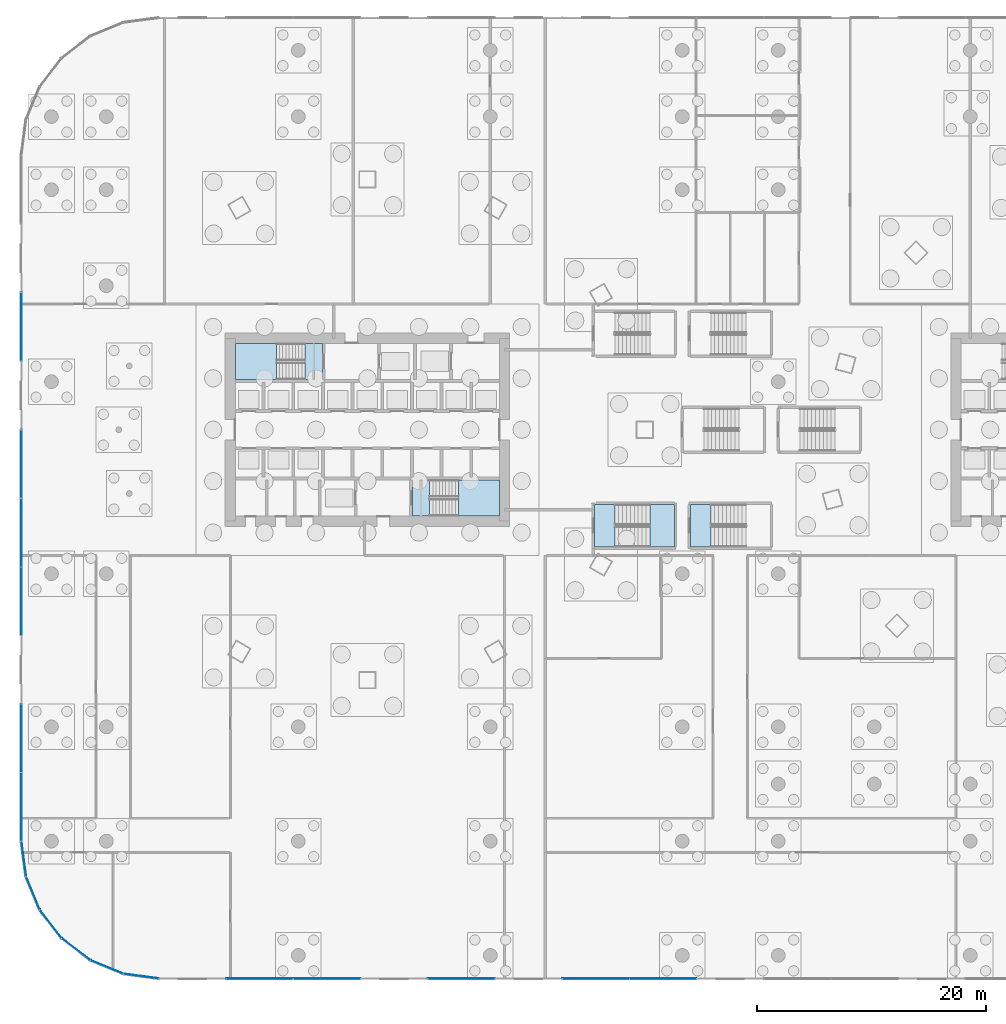
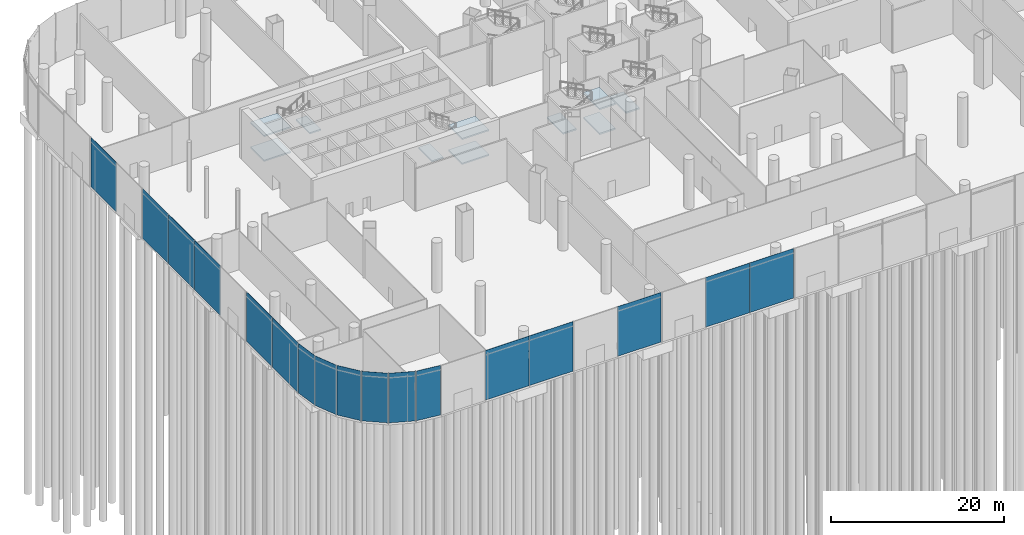
# One storey, part 21 of 41: 17 plates, 10 slabs, 5 elements without a shape of their own.
"""IFC4 building model written with IfcOpenShell, lengths in metres."""

from ifc_helpers import new_model, si_unit, direction, frame, origin, origin_2d, place, context, subcontext, project, spatial, polyline, rectangle, outline, extrude, material, layer, layer_set, type_object, element, aggregate, save


model = new_model("IFC4")

# Units and contexts
model_context = context("Model", 3, precision=1e-05, world=origin(), true_north=direction((0.0, 1.0)))
body_context = subcontext(model_context, "Body", "Model", "MODEL_VIEW")
ifc_project = project(units=[si_unit("LENGTHUNIT", "METRE"), si_unit("AREAUNIT", "SQUARE_METRE"), si_unit("VOLUMEUNIT", "CUBIC_METRE"), si_unit("PLANEANGLEUNIT", "RADIAN"), si_unit("MASSUNIT", "GRAM", prefix="KILO")], contexts=[model_context])

# Site, building, storey
site_placement = place(None, origin())
site = spatial("IfcSite", under=ifc_project, at=site_placement, CompositionType="ELEMENT")
building_placement = place(site_placement, origin())
building = spatial("IfcBuilding", under=site, at=building_placement, Name="Rimbun Link Towers", CompositionType="ELEMENT")
storey_placement = place(building_placement, origin())
storey = spatial("IfcBuildingStorey", under=building, at=storey_placement, Name="L00", CompositionType="ELEMENT", Elevation=0.0)

# Curtain wall, plates
ifc_material_1 = material(Name="Aluminium 6063-T6 and low-iron glass", Category="aluminium")
curtain_wall_type = type_object("IfcCurtainWallType", Name="CW3 podium shopfront", PredefinedType="NOTDEFINED", material=ifc_material_1)
curtain_wall_placement = place(storey_placement, origin())
curtain_wall = element("IfcCurtainWall", 1, at=curtain_wall_placement, inside=storey, type_object=curtain_wall_type, Name="CW3 L00 PD", PredefinedType="NOTDEFINED")
ifc_material_2 = material(Name="Clear toughened low-iron glass", Category="glass")
ifc_layer_1 = layer(ifc_material_2, 0.02392578125)
ifc_layer_set_1 = layer_set([ifc_layer_1], Name="CW3 panel Clear toughened low-iron glass 24")
plate_type = type_object("IfcPlateType", Name="CW3 panel Clear toughened low-iron glass 24", PredefinedType="CURTAIN_PANEL", material=ifc_layer_set_1)
plate_1_placement = place(storey_placement, frame((-62.011962890625, 9.0, 0.0), z_axis=(0.0, 0.0, 1.0), x_axis=(0.0, 1.0, 0.0)))
plate_1 = element("IfcPlate", 2, at=plate_1_placement, type_object=plate_type, Name="CW3 panel", PredefinedType="CURTAIN_PANEL", context=body_context, shape_type="SweptSolid", body=[
    extrude(rectangle(XDim=5.9599609375, YDim=0.02392578125, at=origin_2d()), origin(), (0.0, 0.0, 1.0), 7.0),
])
plate_2_placement = place(storey_placement, frame((-62.011962890625, -3.0, 0.0), z_axis=(0.0, 0.0, 1.0), x_axis=(0.0, 1.0, 0.0)))
plate_2 = element("IfcPlate", 3, at=plate_2_placement, type_object=plate_type, Name="CW3 panel", PredefinedType="CURTAIN_PANEL", context=body_context, shape_type="SweptSolid", body=[
    extrude(rectangle(XDim=5.9599609375, YDim=0.02392578125, at=origin_2d()), origin(), (0.0, 0.0, 1.0), 7.0),
])
plate_3_placement = place(storey_placement, frame((-62.011962890625, -9.0, 0.0), z_axis=(0.0, 0.0, 1.0), x_axis=(0.0, 1.0, 0.0)))
plate_3 = element("IfcPlate", 4, at=plate_3_placement, type_object=plate_type, Name="CW3 panel", PredefinedType="CURTAIN_PANEL", context=body_context, shape_type="SweptSolid", body=[
    extrude(rectangle(XDim=5.9599609375, YDim=0.02392578125, at=origin_2d()), origin(), (0.0, 0.0, 1.0), 7.0),
])
plate_4_placement = place(storey_placement, frame((-62.011962890625, -15.0, 0.0), z_axis=(0.0, 0.0, 1.0), x_axis=(0.0, 1.0, 0.0)))
plate_4 = element("IfcPlate", 5, at=plate_4_placement, type_object=plate_type, Name="CW3 panel", PredefinedType="CURTAIN_PANEL", context=body_context, shape_type="SweptSolid", body=[
    extrude(rectangle(XDim=5.9599609375, YDim=0.02392578125, at=origin_2d()), origin(), (0.0, 0.0, 1.0), 7.0),
])
plate_5_placement = place(storey_placement, frame((-62.011962890625, -27.0, 0.0), z_axis=(0.0, 0.0, 1.0), x_axis=(0.0, 1.0, 0.0)))
plate_5 = element("IfcPlate", 6, at=plate_5_placement, type_object=plate_type, Name="CW3 panel", PredefinedType="CURTAIN_PANEL", context=body_context, shape_type="SweptSolid", body=[
    extrude(rectangle(XDim=5.9599609375, YDim=0.02392578125, at=origin_2d()), origin(), (0.0, 0.0, 1.0), 7.0),
])
plate_6_placement = place(storey_placement, frame((-62.011962890625, -33.0, 0.0), z_axis=(0.0, 0.0, 1.0), x_axis=(0.0, 1.0, 0.0)))
plate_6 = element("IfcPlate", 7, at=plate_6_placement, type_object=plate_type, Name="CW3 panel", PredefinedType="CURTAIN_PANEL", context=body_context, shape_type="SweptSolid", body=[
    extrude(rectangle(XDim=5.9599609375, YDim=0.02392578125, at=origin_2d()), origin(), (0.0, 0.0, 1.0), 7.0),
])
plate_7_placement = place(storey_placement, frame((-61.807373046875, -37.554443359375, 0.0), z_axis=(0.0, 0.0, 1.0), x_axis=(-0.130530482602, 0.991444296525, 0.0)))
plate_7 = element("IfcPlate", 8, at=plate_7_placement, type_object=plate_type, Name="CW3 panel", PredefinedType="CURTAIN_PANEL", context=body_context, shape_type="SweptSolid", body=[
    extrude(rectangle(XDim=3.092529296875, YDim=0.02392578125, at=origin_2d()), origin(), (0.0, 0.0, 1.0), 7.0),
])
plate_8_placement = place(storey_placement, frame((-61.002685546875, -40.557373046875, 0.0), z_axis=(0.0, 0.0, 1.0), x_axis=(-0.382678829747, 0.923881438965, 0.0)))
plate_8 = element("IfcPlate", 9, at=plate_8_placement, type_object=plate_type, Name="CW3 panel", PredefinedType="CURTAIN_PANEL", context=body_context, shape_type="SweptSolid", body=[
    extrude(rectangle(XDim=3.0927734375, YDim=0.02392578125, at=origin_2d()), origin(), (0.0, 0.0, 1.0), 7.0),
])
plate_9_placement = place(storey_placement, frame((-59.4482421875, -43.25, 0.0), z_axis=(0.0, 0.0, 1.0), x_axis=(-0.608753841569, 0.793359162281, 0.0)))
plate_9 = element("IfcPlate", 10, at=plate_9_placement, type_object=plate_type, Name="CW3 panel", PredefinedType="CURTAIN_PANEL", context=body_context, shape_type="SweptSolid", body=[
    extrude(rectangle(XDim=3.092529296875, YDim=0.02392578125, at=origin_2d()), origin(), (0.0, 0.0, 1.0), 7.0),
])
plate_10_placement = place(storey_placement, frame((-57.25, -45.4482421875, 0.0), z_axis=(0.0, 0.0, 1.0), x_axis=(-0.793359162281, 0.608753841569, 0.0)))
plate_10 = element("IfcPlate", 11, at=plate_10_placement, type_object=plate_type, Name="CW3 panel", PredefinedType="CURTAIN_PANEL", context=body_context, shape_type="SweptSolid", body=[
    extrude(rectangle(XDim=3.092529296875, YDim=0.02392578125, at=origin_2d()), origin(), (0.0, 0.0, 1.0), 7.0),
])
plate_11_placement = place(storey_placement, frame((-54.557373046875, -47.002685546875, 0.0), z_axis=(0.0, 0.0, 1.0), x_axis=(-0.923881438965, 0.382678829747, 0.0)))
plate_11 = element("IfcPlate", 12, at=plate_11_placement, type_object=plate_type, Name="CW3 panel", PredefinedType="CURTAIN_PANEL", context=body_context, shape_type="SweptSolid", body=[
    extrude(rectangle(XDim=3.0927734375, YDim=0.02392578125, at=origin_2d()), origin(), (0.0, 0.0, 1.0), 7.0),
])
plate_12_placement = place(storey_placement, frame((-51.554443359375, -47.807373046875, 0.0), z_axis=(0.0, 0.0, 1.0), x_axis=(-0.991444296525, 0.130530482602, 0.0)))
plate_12 = element("IfcPlate", 13, at=plate_12_placement, type_object=plate_type, Name="CW3 panel", PredefinedType="CURTAIN_PANEL", context=body_context, shape_type="SweptSolid", body=[
    extrude(rectangle(XDim=3.092529296875, YDim=0.02392578125, at=origin_2d()), origin(), (0.0, 0.0, 1.0), 7.0),
])
plate_13_placement = place(storey_placement, frame((-41.176513671875, -48.011962890625, 0.0), z_axis=(0.0, 0.0, 1.0), x_axis=(-1.0, 0.0, 0.0)))
plate_13 = element("IfcPlate", 14, at=plate_13_placement, type_object=plate_type, Name="CW3 panel", PredefinedType="CURTAIN_PANEL", context=body_context, shape_type="SweptSolid", body=[
    extrude(rectangle(XDim=5.84228515625, YDim=0.02392578125, at=origin_2d()), origin(), (0.0, 0.0, 1.0), 7.0),
])
plate_14_placement = place(storey_placement, frame((-35.294189453125, -48.011962890625, 0.0), z_axis=(0.0, 0.0, 1.0), x_axis=(-1.0, 0.0, 0.0)))
plate_14 = element("IfcPlate", 15, at=plate_14_placement, type_object=plate_type, Name="CW3 panel", PredefinedType="CURTAIN_PANEL", context=body_context, shape_type="SweptSolid", body=[
    extrude(rectangle(XDim=5.84228515625, YDim=0.02392578125, at=origin_2d()), origin(), (0.0, 0.0, 1.0), 7.0),
])
plate_15_placement = place(storey_placement, frame((-23.529296875, -48.011962890625, 0.0), z_axis=(0.0, 0.0, 1.0), x_axis=(-1.0, 0.0, 0.0)))
plate_15 = element("IfcPlate", 16, at=plate_15_placement, type_object=plate_type, Name="CW3 panel", PredefinedType="CURTAIN_PANEL", context=body_context, shape_type="SweptSolid", body=[
    extrude(rectangle(XDim=5.84228515625, YDim=0.02392578125, at=origin_2d()), origin(), (0.0, 0.0, 1.0), 7.0),
])
plate_16_placement = place(storey_placement, frame((-11.7646484375, -48.011962890625, 0.0), z_axis=(0.0, 0.0, 1.0), x_axis=(-1.0, 0.0, 0.0)))
plate_16 = element("IfcPlate", 17, at=plate_16_placement, type_object=plate_type, Name="CW3 panel", PredefinedType="CURTAIN_PANEL", context=body_context, shape_type="SweptSolid", body=[
    extrude(rectangle(XDim=5.84228515625, YDim=0.02392578125, at=origin_2d()), origin(), (0.0, 0.0, 1.0), 7.0),
])
plate_17_placement = place(storey_placement, frame((-5.88232421875, -48.011962890625, 0.0), z_axis=(0.0, 0.0, 1.0), x_axis=(-1.0, 0.0, 0.0)))
plate_17 = element("IfcPlate", 18, at=plate_17_placement, type_object=plate_type, Name="CW3 panel", PredefinedType="CURTAIN_PANEL", context=body_context, shape_type="SweptSolid", body=[
    extrude(rectangle(XDim=5.84228515625, YDim=0.02392578125, at=origin_2d()), origin(), (0.0, 0.0, 1.0), 7.0),
])
aggregate(curtain_wall, [plate_1, plate_2, plate_3, plate_4, plate_5, plate_6, plate_7, plate_8, plate_9, plate_10, plate_11, plate_12, plate_13, plate_14, plate_15, plate_16, plate_17])

# Stair, slabs
ifc_material_3 = material(Name="Concrete C40/50", Category="concrete")
stair_type_1 = type_object("IfcStairType", Name="Exit stair 7000 rise", PredefinedType="HALF_TURN_STAIR", material=ifc_material_3)
stair_1_placement = place(storey_placement, origin())
stair_1 = element("IfcStair", 19, at=stair_1_placement, inside=storey, type_object=stair_type_1, Name="L00 EXIT STAIR A", PredefinedType="HALF_TURN_STAIR")
ifc_material_4 = material(Name="Concrete C40/50", Category="concrete")
ifc_layer_2 = layer(ifc_material_4, 0.199951171875)
ifc_layer_set_2 = layer_set([ifc_layer_2], Name="Stair landing")
slab_type = type_object("IfcSlabType", Name="Stair landing", PredefinedType="LANDING", material=ifc_layer_set_2)
slab_1_placement = place(storey_placement, frame((0.0, 0.0, 1.550048828125)))
slab_1 = element("IfcSlab", 20, at=slab_1_placement, type_object=slab_type, Name="ST1 landing 1", PredefinedType="LANDING", context=body_context, shape_type="SweptSolid", body=[
    extrude(outline(polyline([(-39.719970703125, 7.550048828125), (-43.300048828125, 7.550048828125), (-43.300048828125, 4.39990234375), (-39.719970703125, 4.39990234375), (-39.719970703125, 7.550048828125)])), origin(), (0.0, 0.0, 1.0), 0.199951171875),
])
slab_2_placement = place(storey_placement, frame((0.0, 0.0, 3.300048828125)))
slab_2 = element("IfcSlab", 21, at=slab_2_placement, type_object=slab_type, Name="ST1 landing 2", PredefinedType="LANDING", context=body_context, shape_type="SweptSolid", body=[
    extrude(outline(polyline([(-35.699951171875, 7.550048828125), (-37.199951171875, 7.550048828125), (-37.199951171875, 4.39990234375), (-35.699951171875, 4.39990234375), (-35.699951171875, 7.550048828125)])), origin(), (0.0, 0.0, 1.0), 0.199951171875),
])
slab_3_placement = place(storey_placement, frame((0.0, 0.0, 5.050048828125)))
slab_3 = element("IfcSlab", 22, at=slab_3_placement, type_object=slab_type, Name="ST1 landing 3", PredefinedType="LANDING", context=body_context, shape_type="SweptSolid", body=[
    extrude(outline(polyline([(-39.719970703125, 7.550048828125), (-43.300048828125, 7.550048828125), (-43.300048828125, 4.39990234375), (-39.719970703125, 4.39990234375), (-39.719970703125, 7.550048828125)])), origin(), (0.0, 0.0, 1.0), 0.199951171875),
])
aggregate(stair_1, [slab_1, slab_2, slab_3])

stair_2_placement = place(storey_placement, origin())
stair_2 = element("IfcStair", 23, at=stair_2_placement, inside=storey, type_object=stair_type_1, Name="L00 EXIT STAIR B", PredefinedType="HALF_TURN_STAIR")
slab_4_placement = place(storey_placement, frame((0.0, 0.0, 1.550048828125)))
slab_4 = element("IfcSlab", 24, at=slab_4_placement, type_object=slab_type, Name="ST2 landing 1", PredefinedType="LANDING", context=body_context, shape_type="SweptSolid", body=[
    extrude(outline(polyline([(-23.780029296875, -7.550048828125), (-20.199951171875, -7.550048828125), (-20.199951171875, -4.39990234375), (-23.780029296875, -4.39990234375), (-23.780029296875, -7.550048828125)])), origin(), (0.0, 0.0, 1.0), 0.199951171875),
])
slab_5_placement = place(storey_placement, frame((0.0, 0.0, 3.300048828125)))
slab_5 = element("IfcSlab", 25, at=slab_5_placement, type_object=slab_type, Name="ST2 landing 2", PredefinedType="LANDING", context=body_context, shape_type="SweptSolid", body=[
    extrude(outline(polyline([(-27.800048828125, -7.550048828125), (-26.300048828125, -7.550048828125), (-26.300048828125, -4.39990234375), (-27.800048828125, -4.39990234375), (-27.800048828125, -7.550048828125)])), origin(), (0.0, 0.0, 1.0), 0.199951171875),
])
slab_6_placement = place(storey_placement, frame((0.0, 0.0, 5.050048828125)))
slab_6 = element("IfcSlab", 26, at=slab_6_placement, type_object=slab_type, Name="ST2 landing 3", PredefinedType="LANDING", context=body_context, shape_type="SweptSolid", body=[
    extrude(outline(polyline([(-23.780029296875, -7.550048828125), (-20.199951171875, -7.550048828125), (-20.199951171875, -4.39990234375), (-23.780029296875, -4.39990234375), (-23.780029296875, -7.550048828125)])), origin(), (0.0, 0.0, 1.0), 0.199951171875),
])
aggregate(stair_2, [slab_4, slab_5, slab_6])

ifc_material_5 = material(Name="Concrete C40/50", Category="concrete")
stair_type_2 = type_object("IfcStairType", Name="Podium exit stair 1800", PredefinedType="HALF_TURN_STAIR", material=ifc_material_5)
stair_3_placement = place(storey_placement, origin())
stair_3 = element("IfcStair", 27, at=stair_3_placement, inside=storey, type_object=stair_type_2, Name="L00 PODIUM EXIT STAIR", PredefinedType="HALF_TURN_STAIR")
slab_7_placement = place(storey_placement, frame((0.0, 0.0, 1.550048828125)))
slab_7 = element("IfcSlab", 28, at=slab_7_placement, type_object=slab_type, Name="PS1 landing 1", PredefinedType="LANDING", context=body_context, shape_type="SweptSolid", body=[
    extrude(outline(polyline([(-7.0400390625, -10.27490234375), (-4.89990234375, -10.27490234375), (-4.89990234375, -6.52490234375), (-7.0400390625, -6.52490234375), (-7.0400390625, -10.27490234375)])), origin(), (0.0, 0.0, 1.0), 0.199951171875),
])
slab_8_placement = place(storey_placement, frame((0.0, 0.0, 3.300048828125)))
slab_8 = element("IfcSlab", 29, at=slab_8_placement, type_object=slab_type, Name="PS1 landing 2", PredefinedType="LANDING", context=body_context, shape_type="SweptSolid", body=[
    extrude(outline(polyline([(-11.89990234375, -10.27490234375), (-10.10009765625, -10.27490234375), (-10.10009765625, -6.52490234375), (-11.89990234375, -6.52490234375), (-11.89990234375, -10.27490234375)])), origin(), (0.0, 0.0, 1.0), 0.199951171875),
])
slab_9_placement = place(storey_placement, frame((0.0, 0.0, 5.050048828125)))
slab_9 = element("IfcSlab", 30, at=slab_9_placement, type_object=slab_type, Name="PS1 landing 3", PredefinedType="LANDING", context=body_context, shape_type="SweptSolid", body=[
    extrude(outline(polyline([(-7.0400390625, -10.27490234375), (-4.89990234375, -10.27490234375), (-4.89990234375, -6.52490234375), (-7.0400390625, -6.52490234375), (-7.0400390625, -10.27490234375)])), origin(), (0.0, 0.0, 1.0), 0.199951171875),
])
aggregate(stair_3, [slab_7, slab_8, slab_9])

# Stair, slab
stair_4_placement = place(storey_placement, origin())
stair_4 = element("IfcStair", 31, at=stair_4_placement, inside=storey, type_object=stair_type_2, Name="L00 PODIUM EXIT STAIR", PredefinedType="HALF_TURN_STAIR")
slab_10_placement = place(storey_placement, frame((0.0, 0.0, 3.300048828125)))
slab_10 = element("IfcSlab", 32, at=slab_10_placement, type_object=slab_type, Name="PS2 landing 2", PredefinedType="LANDING", context=body_context, shape_type="SweptSolid", body=[
    extrude(outline(polyline([(-3.5, -10.27490234375), (-1.699951171875, -10.27490234375), (-1.699951171875, -6.52490234375), (-3.5, -6.52490234375), (-3.5, -10.27490234375)])), origin(), (0.0, 0.0, 1.0), 0.199951171875),
])
aggregate(stair_4, [slab_10])

save(model, "model.ifc")
